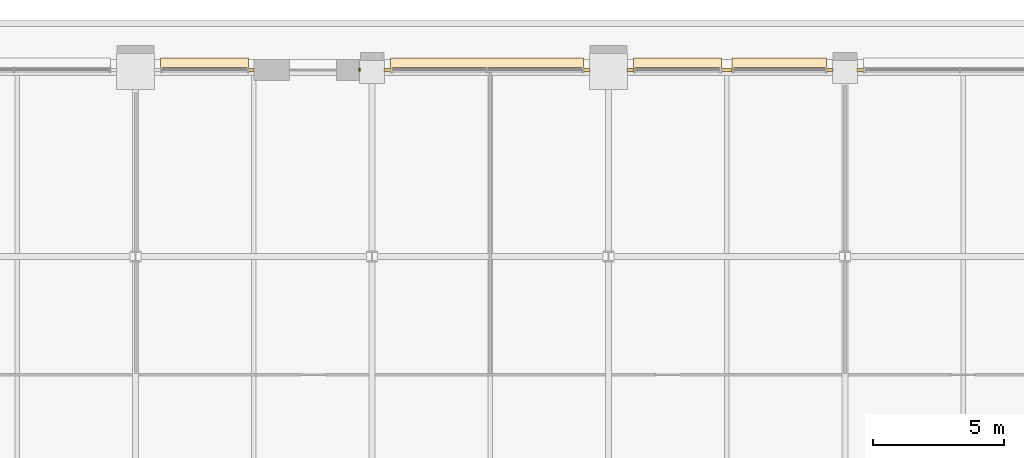
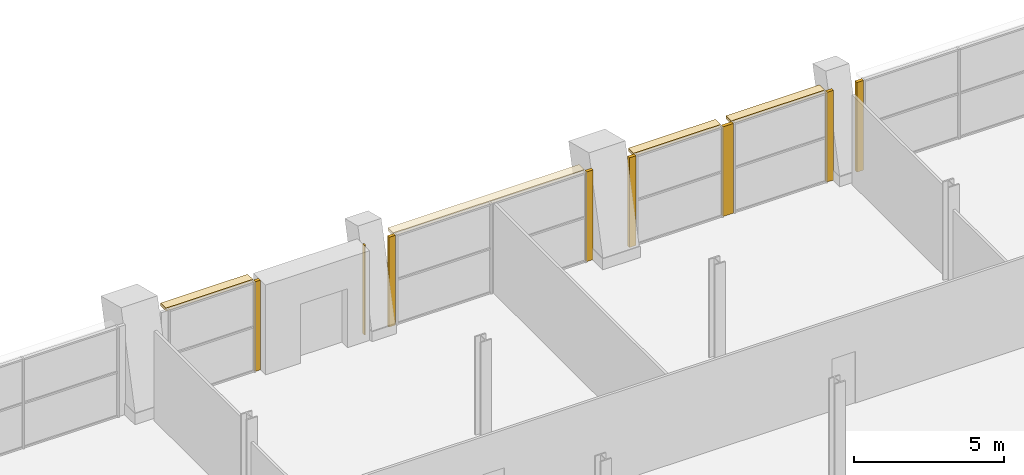
# One storey, part 21 of 23: 12 coverings.
"""IFC4 building model written with IfcOpenShell, lengths in metres."""

from ifc_helpers import new_model, si_unit, direction, frame, origin, origin_2d, place, context, subcontext, project, spatial, polyline, rectangle, outline, extrude, material, layer, layer_set, type_object, element, save


model = new_model("IFC4")

# Units and contexts
model_context = context("Model", 3, precision=1e-05, world=origin(), true_north=direction((0.0, 1.0)))
body_context = subcontext(model_context, "Body", "Model", "MODEL_VIEW")
ifc_project = project(units=[si_unit("LENGTHUNIT", "METRE"), si_unit("AREAUNIT", "SQUARE_METRE"), si_unit("VOLUMEUNIT", "CUBIC_METRE"), si_unit("PLANEANGLEUNIT", "RADIAN"), si_unit("MASSUNIT", "GRAM", prefix="KILO")], contexts=[model_context])

# Site, building, storey
site_placement = place(None, origin())
site = spatial("IfcSite", under=ifc_project, at=site_placement, CompositionType="ELEMENT")
building_placement = place(site_placement, origin())
building = spatial("IfcBuilding", under=site, at=building_placement, Name="Zellij Exchange Tower", CompositionType="ELEMENT")
storey_placement = place(building_placement, frame((0.0, 0.0, 212.5)))
storey = spatial("IfcBuildingStorey", under=building, at=storey_placement, Name="L49", CompositionType="ELEMENT", Elevation=212.5)

# Coverings
ifc_material_1 = material(Name="Limestone cladding", Category="masonry")
ifc_layer_1 = layer(ifc_material_1, 0.1201171875)
ifc_layer_set_1 = layer_set([ifc_layer_1], Name="Limestone cladding")
covering_type_1 = type_object("IfcCoveringType", Name="ENV-CV18 Glazing closer 120", PredefinedType="CLADDING", material=ifc_layer_set_1)
covering_1_placement = place(storey_placement, frame((13.5, 29.10009765625, 0.0), z_axis=(0.0, 0.0, 1.0), x_axis=(-1.0, 0.0, 0.0)))
element("IfcCovering", 1, at=covering_1_placement, inside=storey, type_object=covering_type_1, Name="Glazing closer", PredefinedType="CLADDING", context=body_context, shape_type="SweptSolid", body=[
    extrude(rectangle(XDim=0.39990234375, YDim=0.1201171875, at=origin_2d()), origin(), (0.0, 0.0, 1.0), 3.64990234375),
])
for number, where, z_axis, x_axis, name in (
    (2, (18.574951171875, 29.10009765625, 0.0), (0.0, 0.0, 1.0), (-1.0, 0.0, 0.0), "Glazing closer"),
    (3, (17.425048828125, 29.10009765625, 0.0), (0.0, 0.0, 1.0), (1.0, 0.0, 0.0), "Glazing closer"),
    (4, (9.824951171875, 29.10009765625, 0.0), (0.0, 0.0, 1.0), (-1.0, 0.0, 0.0), "Glazing closer"),
    (5, (8.175048828125, 29.10009765625, 0.0), (0.0, 0.0, 1.0), (1.0, 0.0, 0.0), "Glazing closer"),
    (6, (0.574951171875, 29.10009765625, 0.0), (0.0, 0.0, 1.0), (-1.0, 0.0, 0.0), "Glazing closer"),
):
    element("IfcCovering", number, at=place(storey_placement, frame(where, z_axis=z_axis, x_axis=x_axis)), inside=storey, type_object=covering_type_1, Name=name, PredefinedType="CLADDING", context=body_context, shape_type="SweptSolid", body=[
        extrude(rectangle(XDim=0.25, YDim=0.1201171875, at=origin_2d()), origin(), (0.0, 0.0, 1.0), 3.64990234375),
    ])
covering_2_placement = place(storey_placement, frame((-4.60009765625, 29.10009765625, 0.0), z_axis=(0.0, 0.0, 1.0), x_axis=(1.0, 0.0, 0.0)))
element("IfcCovering", 7, at=covering_2_placement, inside=storey, type_object=covering_type_1, Name="Glazing closer", PredefinedType="CLADDING", context=body_context, shape_type="SweptSolid", body=[
    extrude(rectangle(XDim=0.199951171875, YDim=0.1201171875, at=origin_2d()), origin(), (0.0, 0.0, 1.0), 3.64990234375),
])
covering_3_placement = place(storey_placement, frame((-0.47509765625, 29.10009765625, 0.0), z_axis=(0.0, 0.0, 1.0), x_axis=(1.0, 0.0, 0.0)))
element("IfcCovering", 8, at=covering_3_placement, inside=storey, type_object=covering_type_1, Name="Glazing closer", PredefinedType="CLADDING", context=body_context, shape_type="SweptSolid", body=[
    extrude(rectangle(XDim=0.050048828125, YDim=0.1201171875, at=origin_2d()), origin(), (0.0, 0.0, 1.0), 3.64990234375),
])
ifc_material_2 = material(Name="Limestone sunshade", Category="masonry")
ifc_layer_2 = layer(ifc_material_2, 0.1201171875)
ifc_layer_set_2 = layer_set([ifc_layer_2], Name="Limestone sunshade")
covering_type_2 = type_object("IfcCoveringType", Name="ENV-SC2 Stone sunshade 120", PredefinedType="USERDEFINED", material=ifc_layer_set_2)
covering_4_placement = place(storey_placement, frame((0.0, 0.0, 3.530029296875)))
element("IfcCovering", 9, at=covering_4_placement, inside=storey, type_object=covering_type_2, Name="Stone sunshade", ObjectType="SUNSHADE", PredefinedType="USERDEFINED", context=body_context, shape_type="SweptSolid", body=[
    extrude(outline(polyline([(17.300048828125, 29.199951171875), (13.699951171875, 29.199951171875), (13.699951171875, 29.550048828125), (17.300048828125, 29.550048828125), (17.300048828125, 29.199951171875)])), origin(), (0.0, 0.0, 1.0), 0.119873046875),
])
covering_5_placement = place(storey_placement, frame((0.0, 0.0, 3.530029296875)))
element("IfcCovering", 10, at=covering_5_placement, inside=storey, type_object=covering_type_2, Name="Stone sunshade", ObjectType="SUNSHADE", PredefinedType="USERDEFINED", context=body_context, shape_type="SweptSolid", body=[
    extrude(outline(polyline([(13.300048828125, 29.199951171875), (9.949951171875, 29.199951171875), (9.949951171875, 29.550048828125), (13.300048828125, 29.550048828125), (13.300048828125, 29.199951171875)])), origin(), (0.0, 0.0, 1.0), 0.119873046875),
])
covering_6_placement = place(storey_placement, frame((0.0, 0.0, 3.530029296875)))
element("IfcCovering", 11, at=covering_6_placement, inside=storey, type_object=covering_type_2, Name="Stone sunshade", ObjectType="SUNSHADE", PredefinedType="USERDEFINED", context=body_context, shape_type="SweptSolid", body=[
    extrude(outline(polyline([(8.050048828125, 29.199951171875), (0.699951171875, 29.199951171875), (0.699951171875, 29.550048828125), (8.050048828125, 29.550048828125), (8.050048828125, 29.199951171875)])), origin(), (0.0, 0.0, 1.0), 0.119873046875),
])
covering_7_placement = place(storey_placement, frame((0.0, 0.0, 3.530029296875)))
element("IfcCovering", 12, at=covering_7_placement, inside=storey, type_object=covering_type_2, Name="Stone sunshade", ObjectType="SUNSHADE", PredefinedType="USERDEFINED", context=body_context, shape_type="SweptSolid", body=[
    extrude(outline(polyline([(-4.699951171875, 29.199951171875), (-8.050048828125, 29.199951171875), (-8.050048828125, 29.550048828125), (-4.699951171875, 29.550048828125), (-4.699951171875, 29.199951171875)])), origin(), (0.0, 0.0, 1.0), 0.119873046875),
])

save(model, "model.ifc")
